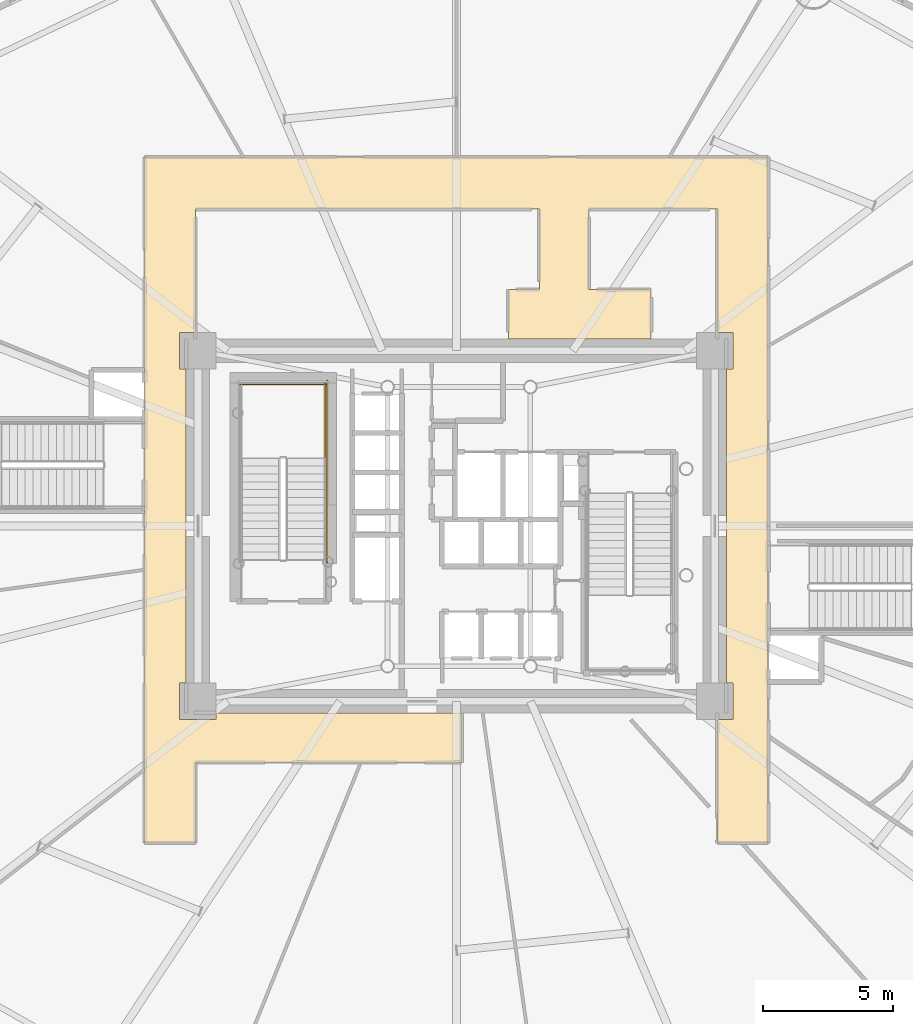
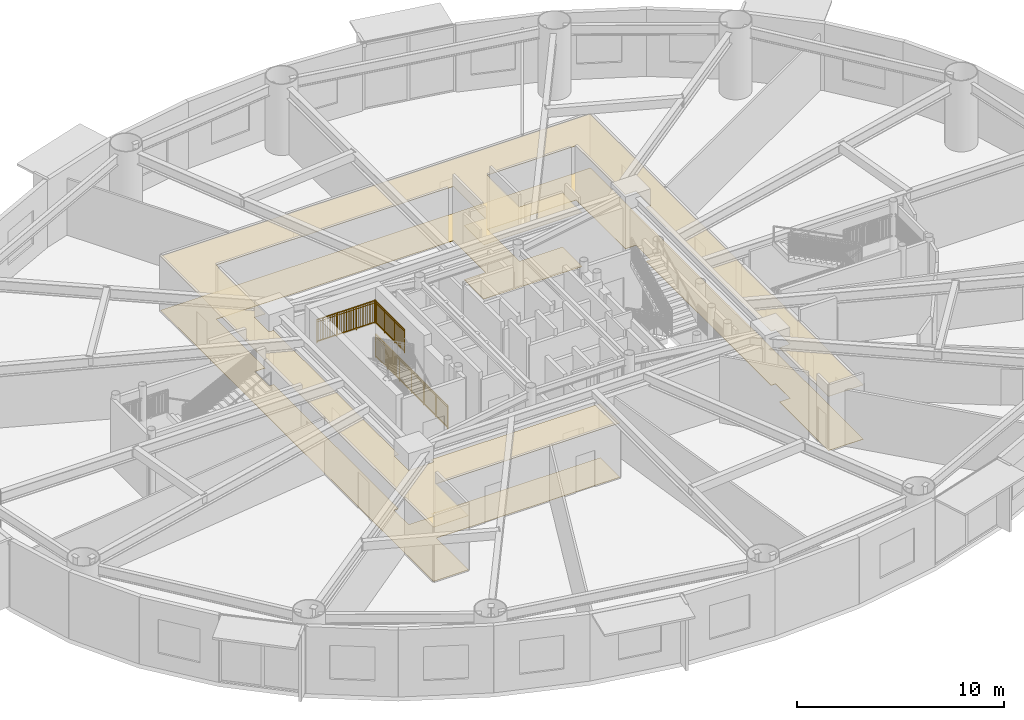
# One storey, part 29 of 35: 3 railings, 2 coverings.
"""IFC4 building model written with IfcOpenShell, lengths in metres."""

from ifc_helpers import new_model, si_unit, direction, frame, origin, origin_2d, place, context, subcontext, project, spatial, polyline, rectangle, outline, extrude, source, transform, mapped, material, layer, layer_set, type_object, element, save


model = new_model("IFC4")

# Units and contexts
model_context = context("Model", 3, precision=1e-05, world=origin(), true_north=direction((0.0, 1.0)))
body_context = subcontext(model_context, "Body", "Model", "MODEL_VIEW")
ifc_project = project(units=[si_unit("LENGTHUNIT", "METRE"), si_unit("AREAUNIT", "SQUARE_METRE"), si_unit("VOLUMEUNIT", "CUBIC_METRE"), si_unit("PLANEANGLEUNIT", "RADIAN"), si_unit("MASSUNIT", "GRAM", prefix="KILO")], contexts=[model_context])

# Site, building, storey
site_placement = place(None, origin())
site = spatial("IfcSite", under=ifc_project, at=site_placement, CompositionType="ELEMENT")
building_placement = place(site_placement, origin())
building = spatial("IfcBuilding", under=site, at=building_placement, Name="Linh Dai School and Residence Tower", CompositionType="ELEMENT")
storey_placement = place(building_placement, frame((0.0, 0.0, 49.199951171875)))
storey = spatial("IfcBuildingStorey", under=building, at=storey_placement, Name="L11", CompositionType="ELEMENT", Elevation=49.199951171875)

# Coverings
ifc_material_1 = material(Name="Mineral Fibre Acoustic Suspended Ceiling", Category="masonry")
ifc_layer_1 = layer(ifc_material_1, 0.02001953125)
ifc_layer_set_1 = layer_set([ifc_layer_1], Name="Mineral Fibre Acoustic Suspended Ceiling")
covering_type_1 = type_object("IfcCoveringType", Name="COV-CEIL-AC-20", PredefinedType="CEILING", material=ifc_layer_set_1)
covering_1_placement = place(storey_placement, frame((0.0, 0.0, 3.199951171875)))
element("IfcCovering", 1, at=covering_1_placement, inside=storey, type_object=covering_type_1, Name="L11 School Circulation Ring Corridor Suspended Ceiling", PredefinedType="CEILING", context=body_context, shape_type="SweptSolid", body=[
    extrude(outline(polyline([(24.0, 41.199951171875), (48.0, 41.199951171875), (48.0, 14.800048828125), (46.050048828125, 14.800048828125), (46.050048828125, 19.550048828125), (46.64990234375, 19.550048828125), (46.64990234375, 20.949951171875), (46.39990234375, 20.949951171875), (46.39990234375, 33.050048828125), (46.64990234375, 33.050048828125), (46.64990234375, 34.449951171875), (46.050048828125, 34.449951171875), (46.050048828125, 39.199951171875), (41.10009765625, 39.199951171875), (41.10009765625, 36.10009765625), (43.5, 36.10009765625), (43.5, 34.199951171875), (38.0, 34.199951171875), (38.0, 36.10009765625), (39.199951171875, 36.10009765625), (39.199951171875, 39.199951171875), (25.949951171875, 39.199951171875), (25.949951171875, 34.449951171875), (25.35009765625, 34.449951171875), (25.35009765625, 33.050048828125), (25.60009765625, 33.050048828125), (25.60009765625, 20.949951171875), (25.35009765625, 20.949951171875), (25.35009765625, 19.550048828125), (26.75, 19.550048828125), (26.75, 19.800048828125), (36.199951171875, 19.800048828125), (36.199951171875, 17.89990234375), (25.949951171875, 17.89990234375), (25.949951171875, 14.800048828125), (24.0, 14.800048828125), (24.0, 41.199951171875)])), origin(), (0.0, 0.0, 1.0), 0.02001953125),
])
ifc_material_2 = material(Name="Polished Terrazzo Floor Finish", Category="masonry")
ifc_layer_2 = layer(ifc_material_2, 0.02490234375)
ifc_layer_set_2 = layer_set([ifc_layer_2], Name="Polished Terrazzo Floor Finish")
covering_type_2 = type_object("IfcCoveringType", Name="COV-FLR-TRZ-25", PredefinedType="FLOORING", material=ifc_layer_set_2)
covering_2_placement = place(storey_placement, origin())
element("IfcCovering", 2, at=covering_2_placement, inside=storey, type_object=covering_type_2, Name="L11 School Circulation Ring Corridor Floor Finish", PredefinedType="FLOORING", context=body_context, shape_type="SweptSolid", body=[
    extrude(outline(polyline([(24.0, 41.199951171875), (48.0, 41.199951171875), (48.0, 14.800048828125), (46.050048828125, 14.800048828125), (46.050048828125, 19.550048828125), (46.64990234375, 19.550048828125), (46.64990234375, 20.949951171875), (46.39990234375, 20.949951171875), (46.39990234375, 33.050048828125), (46.64990234375, 33.050048828125), (46.64990234375, 34.449951171875), (46.050048828125, 34.449951171875), (46.050048828125, 39.199951171875), (41.10009765625, 39.199951171875), (41.10009765625, 36.10009765625), (43.5, 36.10009765625), (43.5, 34.199951171875), (38.0, 34.199951171875), (38.0, 36.10009765625), (39.199951171875, 36.10009765625), (39.199951171875, 39.199951171875), (25.949951171875, 39.199951171875), (25.949951171875, 34.449951171875), (25.35009765625, 34.449951171875), (25.35009765625, 33.050048828125), (25.60009765625, 33.050048828125), (25.60009765625, 20.949951171875), (25.35009765625, 20.949951171875), (25.35009765625, 19.550048828125), (26.75, 19.550048828125), (26.75, 19.800048828125), (36.199951171875, 19.800048828125), (36.199951171875, 17.89990234375), (25.949951171875, 17.89990234375), (25.949951171875, 14.800048828125), (24.0, 14.800048828125), (24.0, 41.199951171875)])), origin(), (0.0, 0.0, 1.0), 0.02001953125),
])

# Railings
ifc_material_3 = material(Name="Structural Steel S355JR", Category="steel")
railing_type = type_object("IfcRailingType", Name="RL-ST-GUARD-1400", PredefinedType="GUARDRAIL", material=ifc_material_3)
shared_shape_1 = source(origin(), body_context, "Body", "SweptSolid", [
    extrude(rectangle(XDim=0.048095703125, YDim=0.048095703125, at=origin_2d()), frame((0.0, 0.0, 1.3759765625), z_axis=(-1.0, 0.0, 0.0), x_axis=(0.0, -1.0, 0.0)), (0.0, 0.0, 1.0), 3.300048828125),
    extrude(rectangle(XDim=0.048095703125, YDim=0.048095703125, at=origin_2d()), frame((0.0, 0.0, 0.10009765625), z_axis=(-1.0, 0.0, 0.0), x_axis=(0.0, -1.0, 0.0)), (0.0, 0.0, 1.0), 3.300048828125),
    extrude(rectangle(XDim=0.030029296875, YDim=0.030029296875, at=origin_2d()), frame((0.0, 0.0, 1.239990234375), z_axis=(-1.0, 0.0, 0.0), x_axis=(0.0, -1.0, 0.0)), (0.0, 0.0, 1.0), 3.300048828125),
    extrude(rectangle(XDim=0.02001953125, YDim=0.02001953125, at=origin_2d()), frame((-0.09716796875, 0.0, 0.10009765625)), (0.0, 0.0, 1.0), 1.251708984375),
    extrude(rectangle(XDim=0.02001953125, YDim=0.02001953125, at=origin_2d()), frame((-0.194091796875, 0.0, 0.10009765625)), (0.0, 0.0, 1.0), 1.251708984375),
    extrude(rectangle(XDim=0.02001953125, YDim=0.02001953125, at=origin_2d()), frame((-0.291259765625, 0.0, 0.10009765625)), (0.0, 0.0, 1.0), 1.251708984375),
    extrude(rectangle(XDim=0.02001953125, YDim=0.02001953125, at=origin_2d()), frame((-0.38818359375, 0.0, 0.10009765625)), (0.0, 0.0, 1.0), 1.251708984375),
    extrude(rectangle(XDim=0.02001953125, YDim=0.02001953125, at=origin_2d()), frame((-0.4853515625, 0.0, 0.10009765625)), (0.0, 0.0, 1.0), 1.251708984375),
    extrude(rectangle(XDim=0.02001953125, YDim=0.02001953125, at=origin_2d()), frame((-0.582275390625, 0.0, 0.10009765625)), (0.0, 0.0, 1.0), 1.251708984375),
    extrude(rectangle(XDim=0.02001953125, YDim=0.02001953125, at=origin_2d()), frame((-0.679443359375, 0.0, 0.10009765625)), (0.0, 0.0, 1.0), 1.251708984375),
    extrude(rectangle(XDim=0.02001953125, YDim=0.02001953125, at=origin_2d()), frame((-0.7763671875, 0.0, 0.10009765625)), (0.0, 0.0, 1.0), 1.251708984375),
    extrude(rectangle(XDim=0.02001953125, YDim=0.02001953125, at=origin_2d()), frame((-0.87353515625, 0.0, 0.10009765625)), (0.0, 0.0, 1.0), 1.251708984375),
    extrude(rectangle(XDim=0.02001953125, YDim=0.02001953125, at=origin_2d()), frame((-0.970703125, 0.0, 0.10009765625)), (0.0, 0.0, 1.0), 1.251708984375),
    extrude(rectangle(XDim=0.02001953125, YDim=0.02001953125, at=origin_2d()), frame((-1.164794921875, 0.0, 0.10009765625)), (0.0, 0.0, 1.0), 1.251708984375),
    extrude(rectangle(XDim=0.02001953125, YDim=0.02001953125, at=origin_2d()), frame((-1.26171875, 0.0, 0.10009765625)), (0.0, 0.0, 1.0), 1.251708984375),
    extrude(rectangle(XDim=0.02001953125, YDim=0.02001953125, at=origin_2d()), frame((-1.35888671875, 0.0, 0.10009765625)), (0.0, 0.0, 1.0), 1.251708984375),
    extrude(rectangle(XDim=0.02001953125, YDim=0.02001953125, at=origin_2d()), frame((-1.455810546875, 0.0, 0.10009765625)), (0.0, 0.0, 1.0), 1.251708984375),
    extrude(rectangle(XDim=0.02001953125, YDim=0.02001953125, at=origin_2d()), frame((-1.552978515625, 0.0, 0.10009765625)), (0.0, 0.0, 1.0), 1.251708984375),
    extrude(rectangle(XDim=0.02001953125, YDim=0.02001953125, at=origin_2d()), frame((-1.64990234375, 0.0, 0.10009765625)), (0.0, 0.0, 1.0), 1.251708984375),
    extrude(rectangle(XDim=0.02001953125, YDim=0.02001953125, at=origin_2d()), frame((-1.7470703125, 0.0, 0.10009765625)), (0.0, 0.0, 1.0), 1.251708984375),
    extrude(rectangle(XDim=0.02001953125, YDim=0.02001953125, at=origin_2d()), frame((-1.84423828125, 0.0, 0.10009765625)), (0.0, 0.0, 1.0), 1.251708984375),
    extrude(rectangle(XDim=0.02001953125, YDim=0.02001953125, at=origin_2d()), frame((-1.941162109375, 0.0, 0.10009765625)), (0.0, 0.0, 1.0), 1.251708984375),
    extrude(rectangle(XDim=0.02001953125, YDim=0.02001953125, at=origin_2d()), frame((-2.038330078125, 0.0, 0.10009765625)), (0.0, 0.0, 1.0), 1.251708984375),
    extrude(rectangle(XDim=0.02001953125, YDim=0.02001953125, at=origin_2d()), frame((-2.13525390625, 0.0, 0.10009765625)), (0.0, 0.0, 1.0), 1.251708984375),
    extrude(rectangle(XDim=0.02001953125, YDim=0.02001953125, at=origin_2d()), frame((-2.329345703125, 0.0, 0.10009765625)), (0.0, 0.0, 1.0), 1.251708984375),
    extrude(rectangle(XDim=0.02001953125, YDim=0.02001953125, at=origin_2d()), frame((-2.426513671875, 0.0, 0.10009765625)), (0.0, 0.0, 1.0), 1.251708984375),
    extrude(rectangle(XDim=0.02001953125, YDim=0.02001953125, at=origin_2d()), frame((-2.523681640625, 0.0, 0.10009765625)), (0.0, 0.0, 1.0), 1.251708984375),
    extrude(rectangle(XDim=0.02001953125, YDim=0.02001953125, at=origin_2d()), frame((-2.62060546875, 0.0, 0.10009765625)), (0.0, 0.0, 1.0), 1.251708984375),
    extrude(rectangle(XDim=0.02001953125, YDim=0.02001953125, at=origin_2d()), frame((-2.7177734375, 0.0, 0.10009765625)), (0.0, 0.0, 1.0), 1.251708984375),
    extrude(rectangle(XDim=0.02001953125, YDim=0.02001953125, at=origin_2d()), frame((-2.814697265625, 0.0, 0.10009765625)), (0.0, 0.0, 1.0), 1.251708984375),
    extrude(rectangle(XDim=0.02001953125, YDim=0.02001953125, at=origin_2d()), frame((-2.911865234375, 0.0, 0.10009765625)), (0.0, 0.0, 1.0), 1.251708984375),
    extrude(rectangle(XDim=0.02001953125, YDim=0.02001953125, at=origin_2d()), frame((-3.0087890625, 0.0, 0.10009765625)), (0.0, 0.0, 1.0), 1.251708984375),
    extrude(rectangle(XDim=0.02001953125, YDim=0.02001953125, at=origin_2d()), frame((-3.10595703125, 0.0, 0.10009765625)), (0.0, 0.0, 1.0), 1.251708984375),
    extrude(rectangle(XDim=0.02001953125, YDim=0.02001953125, at=origin_2d()), frame((-3.202880859375, 0.0, 0.10009765625)), (0.0, 0.0, 1.0), 1.251708984375),
    extrude(rectangle(XDim=0.0419921875, YDim=0.0419921875, at=origin_2d()), origin(), (0.0, 0.0, 1.0), 1.3759765625),
    extrude(rectangle(XDim=0.0419921875, YDim=0.0419921875, at=origin_2d()), frame((-1.10009765625, 0.0, 0.0)), (0.0, 0.0, 1.0), 1.3759765625),
    extrude(rectangle(XDim=0.0419921875, YDim=0.0419921875, at=origin_2d()), frame((-2.199951171875, 0.0, 0.0)), (0.0, 0.0, 1.0), 1.3759765625),
    extrude(rectangle(XDim=0.0419921875, YDim=0.0419921875, at=origin_2d()), frame((-3.300048828125, 0.0, 0.0)), (0.0, 0.0, 1.0), 1.3759765625),
])
railing_1_placement = place(storey_placement, frame((30.97998046875, 32.449951171875, 2.10009765625)))
element("IfcRailing", 3, at=railing_1_placement, inside=storey, type_object=railing_type, Name="L11 ST1 stair guard 5", PredefinedType="GUARDRAIL", context=body_context, shape_type="MappedRepresentation", body=[
    mapped(shared_shape_1, transform((0.0, 0.0, 0.0), x_axis=(1.0, 0.0, 0.0), y_axis=(0.0, 1.0, 0.0), z_axis=(0.0, 0.0, 1.0), scale=1.0)),
])
shared_shape_2 = source(origin(), body_context, "Body", "SweptSolid", [
    extrude(rectangle(XDim=0.048095703125, YDim=0.048095703125, at=origin_2d()), frame((0.0, 0.0, 1.3759765625), z_axis=(0.0, 1.0, 0.0), x_axis=(-1.0, 0.0, 0.0)), (0.0, 0.0, 1.0), 7.0),
    extrude(rectangle(XDim=0.048095703125, YDim=0.048095703125, at=origin_2d()), frame((0.0, 0.0, 0.10009765625), z_axis=(0.0, 1.0, 0.0), x_axis=(-1.0, 0.0, 0.0)), (0.0, 0.0, 1.0), 7.0),
    extrude(rectangle(XDim=0.030029296875, YDim=0.030029296875, at=origin_2d()), frame((0.0, 0.0, 1.239990234375), z_axis=(0.0, 1.0, 0.0), x_axis=(-1.0, 0.0, 0.0)), (0.0, 0.0, 1.0), 7.0),
    extrude(rectangle(XDim=0.02001953125, YDim=0.02001953125, at=origin_2d()), frame((0.0, 0.09716796875, 0.10009765625)), (0.0, 0.0, 1.0), 1.251708984375),
    extrude(rectangle(XDim=0.02001953125, YDim=0.02001953125, at=origin_2d()), frame((0.0, 0.1943359375, 0.10009765625)), (0.0, 0.0, 1.0), 1.251708984375),
    extrude(rectangle(XDim=0.02001953125, YDim=0.02001953125, at=origin_2d()), frame((0.0, 0.291748046875, 0.10009765625)), (0.0, 0.0, 1.0), 1.251708984375),
    extrude(rectangle(XDim=0.02001953125, YDim=0.02001953125, at=origin_2d()), frame((0.0, 0.388916015625, 0.10009765625)), (0.0, 0.0, 1.0), 1.251708984375),
    extrude(rectangle(XDim=0.02001953125, YDim=0.02001953125, at=origin_2d()), frame((0.0, 0.486083984375, 0.10009765625)), (0.0, 0.0, 1.0), 1.251708984375),
    extrude(rectangle(XDim=0.02001953125, YDim=0.02001953125, at=origin_2d()), frame((0.0, 0.583251953125, 0.10009765625)), (0.0, 0.0, 1.0), 1.251708984375),
    extrude(rectangle(XDim=0.02001953125, YDim=0.02001953125, at=origin_2d()), frame((0.0, 0.6806640625, 0.10009765625)), (0.0, 0.0, 1.0), 1.251708984375),
    extrude(rectangle(XDim=0.02001953125, YDim=0.02001953125, at=origin_2d()), frame((0.0, 0.77783203125, 0.10009765625)), (0.0, 0.0, 1.0), 1.251708984375),
    extrude(rectangle(XDim=0.02001953125, YDim=0.02001953125, at=origin_2d()), frame((0.0, 0.875, 0.10009765625)), (0.0, 0.0, 1.0), 1.251708984375),
    extrude(rectangle(XDim=0.02001953125, YDim=0.02001953125, at=origin_2d()), frame((0.0, 0.97216796875, 0.10009765625)), (0.0, 0.0, 1.0), 1.251708984375),
    extrude(rectangle(XDim=0.02001953125, YDim=0.02001953125, at=origin_2d()), frame((0.0, 1.0693359375, 0.10009765625)), (0.0, 0.0, 1.0), 1.251708984375),
    extrude(rectangle(XDim=0.02001953125, YDim=0.02001953125, at=origin_2d()), frame((0.0, 1.263916015625, 0.10009765625)), (0.0, 0.0, 1.0), 1.251708984375),
    extrude(rectangle(XDim=0.02001953125, YDim=0.02001953125, at=origin_2d()), frame((0.0, 1.361083984375, 0.10009765625)), (0.0, 0.0, 1.0), 1.251708984375),
    extrude(rectangle(XDim=0.02001953125, YDim=0.02001953125, at=origin_2d()), frame((0.0, 1.458251953125, 0.10009765625)), (0.0, 0.0, 1.0), 1.251708984375),
    extrude(rectangle(XDim=0.02001953125, YDim=0.02001953125, at=origin_2d()), frame((0.0, 1.5556640625, 0.10009765625)), (0.0, 0.0, 1.0), 1.251708984375),
    extrude(rectangle(XDim=0.02001953125, YDim=0.02001953125, at=origin_2d()), frame((0.0, 1.65283203125, 0.10009765625)), (0.0, 0.0, 1.0), 1.251708984375),
    extrude(rectangle(XDim=0.02001953125, YDim=0.02001953125, at=origin_2d()), frame((0.0, 1.75, 0.10009765625)), (0.0, 0.0, 1.0), 1.251708984375),
    extrude(rectangle(XDim=0.02001953125, YDim=0.02001953125, at=origin_2d()), frame((0.0, 1.84716796875, 0.10009765625)), (0.0, 0.0, 1.0), 1.251708984375),
    extrude(rectangle(XDim=0.02001953125, YDim=0.02001953125, at=origin_2d()), frame((0.0, 1.9443359375, 0.10009765625)), (0.0, 0.0, 1.0), 1.251708984375),
    extrude(rectangle(XDim=0.02001953125, YDim=0.02001953125, at=origin_2d()), frame((0.0, 2.041748046875, 0.10009765625)), (0.0, 0.0, 1.0), 1.251708984375),
    extrude(rectangle(XDim=0.02001953125, YDim=0.02001953125, at=origin_2d()), frame((0.0, 2.138916015625, 0.10009765625)), (0.0, 0.0, 1.0), 1.251708984375),
    extrude(rectangle(XDim=0.02001953125, YDim=0.02001953125, at=origin_2d()), frame((0.0, 2.236083984375, 0.10009765625)), (0.0, 0.0, 1.0), 1.251708984375),
    extrude(rectangle(XDim=0.02001953125, YDim=0.02001953125, at=origin_2d()), frame((0.0, 2.4306640625, 0.10009765625)), (0.0, 0.0, 1.0), 1.251708984375),
    extrude(rectangle(XDim=0.02001953125, YDim=0.02001953125, at=origin_2d()), frame((0.0, 2.52783203125, 0.10009765625)), (0.0, 0.0, 1.0), 1.251708984375),
    extrude(rectangle(XDim=0.02001953125, YDim=0.02001953125, at=origin_2d()), frame((0.0, 2.625, 0.10009765625)), (0.0, 0.0, 1.0), 1.251708984375),
    extrude(rectangle(XDim=0.02001953125, YDim=0.02001953125, at=origin_2d()), frame((0.0, 2.72216796875, 0.10009765625)), (0.0, 0.0, 1.0), 1.251708984375),
    extrude(rectangle(XDim=0.02001953125, YDim=0.02001953125, at=origin_2d()), frame((0.0, 2.8193359375, 0.10009765625)), (0.0, 0.0, 1.0), 1.251708984375),
    extrude(rectangle(XDim=0.02001953125, YDim=0.02001953125, at=origin_2d()), frame((0.0, 2.916748046875, 0.10009765625)), (0.0, 0.0, 1.0), 1.251708984375),
    extrude(rectangle(XDim=0.02001953125, YDim=0.02001953125, at=origin_2d()), frame((0.0, 3.013916015625, 0.10009765625)), (0.0, 0.0, 1.0), 1.251708984375),
    extrude(rectangle(XDim=0.02001953125, YDim=0.02001953125, at=origin_2d()), frame((0.0, 3.111083984375, 0.10009765625)), (0.0, 0.0, 1.0), 1.251708984375),
    extrude(rectangle(XDim=0.02001953125, YDim=0.02001953125, at=origin_2d()), frame((0.0, 3.208251953125, 0.10009765625)), (0.0, 0.0, 1.0), 1.251708984375),
    extrude(rectangle(XDim=0.02001953125, YDim=0.02001953125, at=origin_2d()), frame((0.0, 3.3056640625, 0.10009765625)), (0.0, 0.0, 1.0), 1.251708984375),
    extrude(rectangle(XDim=0.02001953125, YDim=0.02001953125, at=origin_2d()), frame((0.0, 3.40283203125, 0.10009765625)), (0.0, 0.0, 1.0), 1.251708984375),
    extrude(rectangle(XDim=0.02001953125, YDim=0.02001953125, at=origin_2d()), frame((0.0, 3.59716796875, 0.10009765625)), (0.0, 0.0, 1.0), 1.251708984375),
    extrude(rectangle(XDim=0.02001953125, YDim=0.02001953125, at=origin_2d()), frame((0.0, 3.6943359375, 0.10009765625)), (0.0, 0.0, 1.0), 1.251708984375),
    extrude(rectangle(XDim=0.02001953125, YDim=0.02001953125, at=origin_2d()), frame((0.0, 3.791748046875, 0.10009765625)), (0.0, 0.0, 1.0), 1.251708984375),
    extrude(rectangle(XDim=0.02001953125, YDim=0.02001953125, at=origin_2d()), frame((0.0, 3.888916015625, 0.10009765625)), (0.0, 0.0, 1.0), 1.251708984375),
    extrude(rectangle(XDim=0.02001953125, YDim=0.02001953125, at=origin_2d()), frame((0.0, 3.986083984375, 0.10009765625)), (0.0, 0.0, 1.0), 1.251708984375),
    extrude(rectangle(XDim=0.02001953125, YDim=0.02001953125, at=origin_2d()), frame((0.0, 4.083251953125, 0.10009765625)), (0.0, 0.0, 1.0), 1.251708984375),
    extrude(rectangle(XDim=0.02001953125, YDim=0.02001953125, at=origin_2d()), frame((0.0, 4.1806640625, 0.10009765625)), (0.0, 0.0, 1.0), 1.251708984375),
    extrude(rectangle(XDim=0.02001953125, YDim=0.02001953125, at=origin_2d()), frame((0.0, 4.27783203125, 0.10009765625)), (0.0, 0.0, 1.0), 1.251708984375),
    extrude(rectangle(XDim=0.02001953125, YDim=0.02001953125, at=origin_2d()), frame((0.0, 4.375, 0.10009765625)), (0.0, 0.0, 1.0), 1.251708984375),
    extrude(rectangle(XDim=0.02001953125, YDim=0.02001953125, at=origin_2d()), frame((0.0, 4.47216796875, 0.10009765625)), (0.0, 0.0, 1.0), 1.251708984375),
    extrude(rectangle(XDim=0.02001953125, YDim=0.02001953125, at=origin_2d()), frame((0.0, 4.5693359375, 0.10009765625)), (0.0, 0.0, 1.0), 1.251708984375),
    extrude(rectangle(XDim=0.02001953125, YDim=0.02001953125, at=origin_2d()), frame((0.0, 4.763916015625, 0.10009765625)), (0.0, 0.0, 1.0), 1.251708984375),
    extrude(rectangle(XDim=0.02001953125, YDim=0.02001953125, at=origin_2d()), frame((0.0, 4.861083984375, 0.10009765625)), (0.0, 0.0, 1.0), 1.251708984375),
    extrude(rectangle(XDim=0.02001953125, YDim=0.02001953125, at=origin_2d()), frame((0.0, 4.958251953125, 0.10009765625)), (0.0, 0.0, 1.0), 1.251708984375),
    extrude(rectangle(XDim=0.02001953125, YDim=0.02001953125, at=origin_2d()), frame((0.0, 5.0556640625, 0.10009765625)), (0.0, 0.0, 1.0), 1.251708984375),
    extrude(rectangle(XDim=0.02001953125, YDim=0.02001953125, at=origin_2d()), frame((0.0, 5.15283203125, 0.10009765625)), (0.0, 0.0, 1.0), 1.251708984375),
    extrude(rectangle(XDim=0.02001953125, YDim=0.02001953125, at=origin_2d()), frame((0.0, 5.25, 0.10009765625)), (0.0, 0.0, 1.0), 1.251708984375),
    extrude(rectangle(XDim=0.02001953125, YDim=0.02001953125, at=origin_2d()), frame((0.0, 5.34716796875, 0.10009765625)), (0.0, 0.0, 1.0), 1.251708984375),
    extrude(rectangle(XDim=0.02001953125, YDim=0.02001953125, at=origin_2d()), frame((0.0, 5.4443359375, 0.10009765625)), (0.0, 0.0, 1.0), 1.251708984375),
    extrude(rectangle(XDim=0.02001953125, YDim=0.02001953125, at=origin_2d()), frame((0.0, 5.541748046875, 0.10009765625)), (0.0, 0.0, 1.0), 1.251708984375),
    extrude(rectangle(XDim=0.02001953125, YDim=0.02001953125, at=origin_2d()), frame((0.0, 5.638916015625, 0.10009765625)), (0.0, 0.0, 1.0), 1.251708984375),
    extrude(rectangle(XDim=0.02001953125, YDim=0.02001953125, at=origin_2d()), frame((0.0, 5.736083984375, 0.10009765625)), (0.0, 0.0, 1.0), 1.251708984375),
    extrude(rectangle(XDim=0.02001953125, YDim=0.02001953125, at=origin_2d()), frame((0.0, 5.9306640625, 0.10009765625)), (0.0, 0.0, 1.0), 1.251708984375),
    extrude(rectangle(XDim=0.02001953125, YDim=0.02001953125, at=origin_2d()), frame((0.0, 6.02783203125, 0.10009765625)), (0.0, 0.0, 1.0), 1.251708984375),
    extrude(rectangle(XDim=0.02001953125, YDim=0.02001953125, at=origin_2d()), frame((0.0, 6.125, 0.10009765625)), (0.0, 0.0, 1.0), 1.251708984375),
    extrude(rectangle(XDim=0.02001953125, YDim=0.02001953125, at=origin_2d()), frame((0.0, 6.22216796875, 0.10009765625)), (0.0, 0.0, 1.0), 1.251708984375),
    extrude(rectangle(XDim=0.02001953125, YDim=0.02001953125, at=origin_2d()), frame((0.0, 6.3193359375, 0.10009765625)), (0.0, 0.0, 1.0), 1.251708984375),
    extrude(rectangle(XDim=0.02001953125, YDim=0.02001953125, at=origin_2d()), frame((0.0, 6.416748046875, 0.10009765625)), (0.0, 0.0, 1.0), 1.251708984375),
    extrude(rectangle(XDim=0.02001953125, YDim=0.02001953125, at=origin_2d()), frame((0.0, 6.513916015625, 0.10009765625)), (0.0, 0.0, 1.0), 1.251708984375),
    extrude(rectangle(XDim=0.02001953125, YDim=0.02001953125, at=origin_2d()), frame((0.0, 6.611083984375, 0.10009765625)), (0.0, 0.0, 1.0), 1.251708984375),
    extrude(rectangle(XDim=0.02001953125, YDim=0.02001953125, at=origin_2d()), frame((0.0, 6.708251953125, 0.10009765625)), (0.0, 0.0, 1.0), 1.251708984375),
    extrude(rectangle(XDim=0.02001953125, YDim=0.02001953125, at=origin_2d()), frame((0.0, 6.8056640625, 0.10009765625)), (0.0, 0.0, 1.0), 1.251708984375),
    extrude(rectangle(XDim=0.02001953125, YDim=0.02001953125, at=origin_2d()), frame((0.0, 6.90283203125, 0.10009765625)), (0.0, 0.0, 1.0), 1.251708984375),
    extrude(rectangle(XDim=0.0419921875, YDim=0.0419921875, at=origin_2d()), origin(), (0.0, 0.0, 1.0), 1.3759765625),
    extrude(rectangle(XDim=0.0419921875, YDim=0.0419921875, at=origin_2d()), frame((0.0, 1.166748046875, 0.0)), (0.0, 0.0, 1.0), 1.3759765625),
    extrude(rectangle(XDim=0.0419921875, YDim=0.0419921875, at=origin_2d()), frame((0.0, 2.333251953125, 0.0)), (0.0, 0.0, 1.0), 1.3759765625),
    extrude(rectangle(XDim=0.0419921875, YDim=0.0419921875, at=origin_2d()), frame((0.0, 3.5, 0.0)), (0.0, 0.0, 1.0), 1.3759765625),
    extrude(rectangle(XDim=0.0419921875, YDim=0.0419921875, at=origin_2d()), frame((0.0, 4.666748046875, 0.0)), (0.0, 0.0, 1.0), 1.3759765625),
    extrude(rectangle(XDim=0.0419921875, YDim=0.0419921875, at=origin_2d()), frame((0.0, 5.833251953125, 0.0)), (0.0, 0.0, 1.0), 1.3759765625),
    extrude(rectangle(XDim=0.0419921875, YDim=0.0419921875, at=origin_2d()), frame((0.0, 7.0, 0.0)), (0.0, 0.0, 1.0), 1.3759765625),
])
railing_2_placement = place(storey_placement, frame((31.030029296875, 25.60009765625, 0.0)))
element("IfcRailing", 4, at=railing_2_placement, inside=storey, type_object=railing_type, Name="L11 ST1 stair guard 10", PredefinedType="GUARDRAIL", context=body_context, shape_type="MappedRepresentation", body=[
    mapped(shared_shape_2, transform((0.0, 0.0, 0.0), x_axis=(1.0, 0.0, 0.0), y_axis=(0.0, 1.0, 0.0), z_axis=(0.0, 0.0, 1.0), scale=1.0)),
])
shared_shape_3 = source(origin(), body_context, "Body", "SweptSolid", [
    extrude(rectangle(XDim=0.048095703125, YDim=0.048095703125, at=origin_2d()), frame((0.0, 0.0, 1.3759765625), z_axis=(0.0, 1.0, 0.0), x_axis=(-1.0, 0.0, 0.0)), (0.0, 0.0, 1.0), 2.89990234375),
    extrude(rectangle(XDim=0.048095703125, YDim=0.048095703125, at=origin_2d()), frame((0.0, 0.0, 0.10009765625), z_axis=(0.0, 1.0, 0.0), x_axis=(-1.0, 0.0, 0.0)), (0.0, 0.0, 1.0), 2.89990234375),
    extrude(rectangle(XDim=0.030029296875, YDim=0.030029296875, at=origin_2d()), frame((0.0, 0.0, 1.239990234375), z_axis=(0.0, 1.0, 0.0), x_axis=(-1.0, 0.0, 0.0)), (0.0, 0.0, 1.0), 2.89990234375),
    extrude(rectangle(XDim=0.02001953125, YDim=0.02001953125, at=origin_2d()), frame((0.0, 0.0966796875, 0.10009765625)), (0.0, 0.0, 1.0), 1.251708984375),
    extrude(rectangle(XDim=0.02001953125, YDim=0.02001953125, at=origin_2d()), frame((0.0, 0.193359375, 0.10009765625)), (0.0, 0.0, 1.0), 1.251708984375),
    extrude(rectangle(XDim=0.02001953125, YDim=0.02001953125, at=origin_2d()), frame((0.0, 0.2900390625, 0.10009765625)), (0.0, 0.0, 1.0), 1.251708984375),
    extrude(rectangle(XDim=0.02001953125, YDim=0.02001953125, at=origin_2d()), frame((0.0, 0.38671875, 0.10009765625)), (0.0, 0.0, 1.0), 1.251708984375),
    extrude(rectangle(XDim=0.02001953125, YDim=0.02001953125, at=origin_2d()), frame((0.0, 0.4833984375, 0.10009765625)), (0.0, 0.0, 1.0), 1.251708984375),
    extrude(rectangle(XDim=0.02001953125, YDim=0.02001953125, at=origin_2d()), frame((0.0, 0.580078125, 0.10009765625)), (0.0, 0.0, 1.0), 1.251708984375),
    extrude(rectangle(XDim=0.02001953125, YDim=0.02001953125, at=origin_2d()), frame((0.0, 0.6767578125, 0.10009765625)), (0.0, 0.0, 1.0), 1.251708984375),
    extrude(rectangle(XDim=0.02001953125, YDim=0.02001953125, at=origin_2d()), frame((0.0, 0.773193359375, 0.10009765625)), (0.0, 0.0, 1.0), 1.251708984375),
    extrude(rectangle(XDim=0.02001953125, YDim=0.02001953125, at=origin_2d()), frame((0.0, 0.869873046875, 0.10009765625)), (0.0, 0.0, 1.0), 1.251708984375),
    extrude(rectangle(XDim=0.02001953125, YDim=0.02001953125, at=origin_2d()), frame((0.0, 1.063232421875, 0.10009765625)), (0.0, 0.0, 1.0), 1.251708984375),
    extrude(rectangle(XDim=0.02001953125, YDim=0.02001953125, at=origin_2d()), frame((0.0, 1.159912109375, 0.10009765625)), (0.0, 0.0, 1.0), 1.251708984375),
    extrude(rectangle(XDim=0.02001953125, YDim=0.02001953125, at=origin_2d()), frame((0.0, 1.256591796875, 0.10009765625)), (0.0, 0.0, 1.0), 1.251708984375),
    extrude(rectangle(XDim=0.02001953125, YDim=0.02001953125, at=origin_2d()), frame((0.0, 1.353271484375, 0.10009765625)), (0.0, 0.0, 1.0), 1.251708984375),
    extrude(rectangle(XDim=0.02001953125, YDim=0.02001953125, at=origin_2d()), frame((0.0, 1.449951171875, 0.10009765625)), (0.0, 0.0, 1.0), 1.251708984375),
    extrude(rectangle(XDim=0.02001953125, YDim=0.02001953125, at=origin_2d()), frame((0.0, 1.546630859375, 0.10009765625)), (0.0, 0.0, 1.0), 1.251708984375),
    extrude(rectangle(XDim=0.02001953125, YDim=0.02001953125, at=origin_2d()), frame((0.0, 1.643310546875, 0.10009765625)), (0.0, 0.0, 1.0), 1.251708984375),
    extrude(rectangle(XDim=0.02001953125, YDim=0.02001953125, at=origin_2d()), frame((0.0, 1.739990234375, 0.10009765625)), (0.0, 0.0, 1.0), 1.251708984375),
    extrude(rectangle(XDim=0.02001953125, YDim=0.02001953125, at=origin_2d()), frame((0.0, 1.836669921875, 0.10009765625)), (0.0, 0.0, 1.0), 1.251708984375),
    extrude(rectangle(XDim=0.02001953125, YDim=0.02001953125, at=origin_2d()), frame((0.0, 2.030029296875, 0.10009765625)), (0.0, 0.0, 1.0), 1.251708984375),
    extrude(rectangle(XDim=0.02001953125, YDim=0.02001953125, at=origin_2d()), frame((0.0, 2.126708984375, 0.10009765625)), (0.0, 0.0, 1.0), 1.251708984375),
    extrude(rectangle(XDim=0.02001953125, YDim=0.02001953125, at=origin_2d()), frame((0.0, 2.22314453125, 0.10009765625)), (0.0, 0.0, 1.0), 1.251708984375),
    extrude(rectangle(XDim=0.02001953125, YDim=0.02001953125, at=origin_2d()), frame((0.0, 2.31982421875, 0.10009765625)), (0.0, 0.0, 1.0), 1.251708984375),
    extrude(rectangle(XDim=0.02001953125, YDim=0.02001953125, at=origin_2d()), frame((0.0, 2.41650390625, 0.10009765625)), (0.0, 0.0, 1.0), 1.251708984375),
    extrude(rectangle(XDim=0.02001953125, YDim=0.02001953125, at=origin_2d()), frame((0.0, 2.51318359375, 0.10009765625)), (0.0, 0.0, 1.0), 1.251708984375),
    extrude(rectangle(XDim=0.02001953125, YDim=0.02001953125, at=origin_2d()), frame((0.0, 2.60986328125, 0.10009765625)), (0.0, 0.0, 1.0), 1.251708984375),
    extrude(rectangle(XDim=0.02001953125, YDim=0.02001953125, at=origin_2d()), frame((0.0, 2.70654296875, 0.10009765625)), (0.0, 0.0, 1.0), 1.251708984375),
    extrude(rectangle(XDim=0.02001953125, YDim=0.02001953125, at=origin_2d()), frame((0.0, 2.80322265625, 0.10009765625)), (0.0, 0.0, 1.0), 1.251708984375),
    extrude(rectangle(XDim=0.0419921875, YDim=0.0419921875, at=origin_2d()), origin(), (0.0, 0.0, 1.0), 1.3759765625),
    extrude(rectangle(XDim=0.0419921875, YDim=0.0419921875, at=origin_2d()), frame((0.0, 0.966552734375, 0.0)), (0.0, 0.0, 1.0), 1.3759765625),
    extrude(rectangle(XDim=0.0419921875, YDim=0.0419921875, at=origin_2d()), frame((0.0, 1.933349609375, 0.0)), (0.0, 0.0, 1.0), 1.3759765625),
    extrude(rectangle(XDim=0.0419921875, YDim=0.0419921875, at=origin_2d()), frame((0.0, 2.89990234375, 0.0)), (0.0, 0.0, 1.0), 1.3759765625),
])
railing_3_placement = place(storey_placement, frame((30.929931640625, 29.60009765625, 2.10009765625)))
element("IfcRailing", 5, at=railing_3_placement, inside=storey, type_object=railing_type, Name="L11 ST1 stair guard 3", PredefinedType="GUARDRAIL", context=body_context, shape_type="MappedRepresentation", body=[
    mapped(shared_shape_3, transform((0.0, 0.0, 0.0), x_axis=(1.0, 0.0, 0.0), y_axis=(0.0, 1.0, 0.0), z_axis=(0.0, 0.0, 1.0), scale=1.0)),
])

save(model, "model.ifc")
